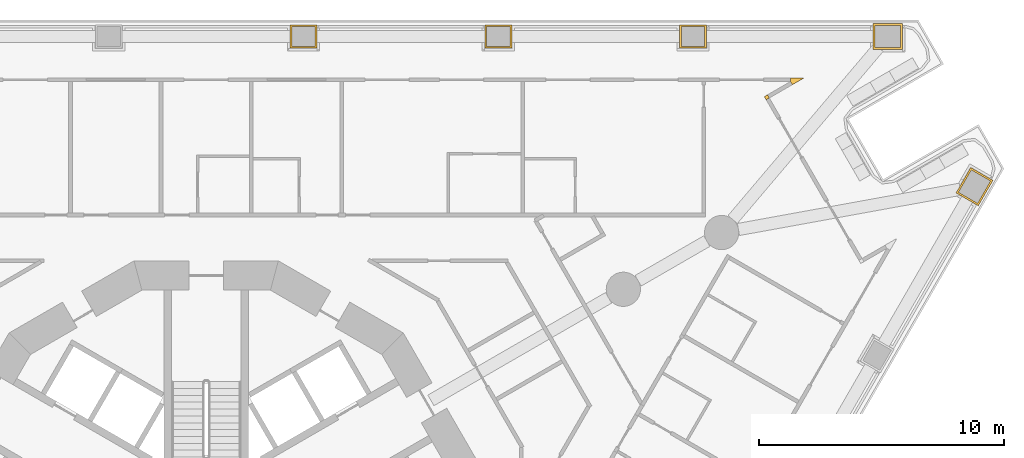
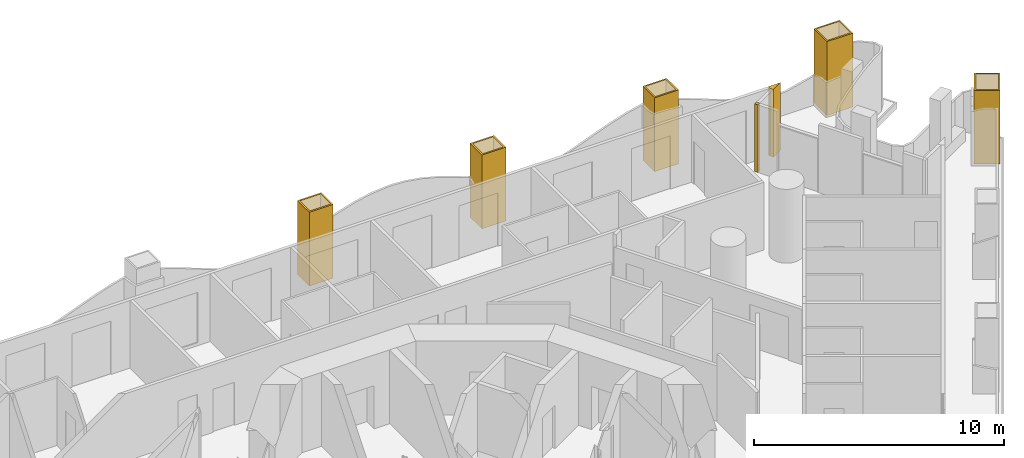
# One storey, part 18 of 19: 7 coverings.
"""IFC4 building model written with IfcOpenShell, lengths in metres."""

import ifcopenshell
import ifcopenshell.guid

model = None  # the IFC model being written
_history = None  # IfcOwnerHistory: only IFC2X3 demands one
_inside = {}  # id of a spatial element -> (the spatial element, [elements in it])
_under = {}  # id of a project, library or spatial element -> (it, [spatial elements below it])
_declared = {}  # id of a project -> (the project, [libraries it declares])
_typed = {}  # id of a type object -> (the type object, [elements of that type])
_made_of = {}  # id of a material, layer set ... -> (it, [elements and type objects made of it])


def new_model(schema):
    """Start an empty IFC model of exactly this schema.

    Asked for "IFC4X3", IfcOpenShell would pick the latest addendum, in which some entities
    have other attributes; the version numbers below select the first issue.
    IFC2X3 requires an IfcOwnerHistory on every rooted entity: one is made here for all.
    """
    global model, _history
    if schema == "IFC4X3":
        model = ifcopenshell.file(schema_version=(4, 3, 0, 0))
    else:
        model = ifcopenshell.file(schema=schema)
    _inside.clear()
    _under.clear()
    _declared.clear()
    _typed.clear()
    _made_of.clear()
    _history = None
    if model.schema == "IFC2X3":
        org = make("IfcOrganization", Name="unknown")
        user = make(
            "IfcPersonAndOrganization",
            ThePerson=make("IfcPerson", FamilyName="unknown"),
            TheOrganization=org,
        )
        app = make(
            "IfcApplication",
            ApplicationDeveloper=org,
            Version="unknown",
            ApplicationFullName="unknown",
            ApplicationIdentifier="unknown",
        )
        _history = make(
            "IfcOwnerHistory",
            OwningUser=user,
            OwningApplication=app,
            ChangeAction="ADDED",
            CreationDate=0,
        )
    return model


def make(cls, **values):
    """One entity of the class cls with the attributes given. An attribute that is None is left unset."""
    return model.create_entity(
        cls, **{name: value for name, value in values.items() if value is not None}
    )


def rooted(cls, **values):
    """An entity with a GlobalId (a new one), such as an element, a storey or a relation."""
    return make(cls, GlobalId=ifcopenshell.guid.new(), OwnerHistory=_history, **values)


def si_unit(unit_type, name, prefix=None):
    """IfcSIUnit, for example si_unit("LENGTHUNIT", "METRE", prefix="MILLI")."""
    return make("IfcSIUnit", UnitType=unit_type, Prefix=prefix, Name=name)


def assignment(units):
    """IfcUnitAssignment: the units of a project."""
    return None if units is None else make("IfcUnitAssignment", Units=units)


def point(xyz):
    """IfcCartesianPoint."""
    return None if xyz is None else make("IfcCartesianPoint", Coordinates=xyz)


def direction(xyz):
    """IfcDirection."""
    return None if xyz is None else make("IfcDirection", DirectionRatios=xyz)


def frame(location, z_axis=None, x_axis=None):
    """IfcAxis2Placement3D, a coordinate frame: its origin and axes. An axis left out is left unset."""
    return make(
        "IfcAxis2Placement3D",
        Location=point(location),
        Axis=direction(z_axis),
        RefDirection=direction(x_axis),
    )


def origin():
    """The frame at (0, 0, 0) with its axes left unset."""
    return frame((0.0, 0.0, 0.0))


def place(relative_to, where):
    """IfcLocalPlacement: puts the frame where relative to a parent placement (None: the world)."""
    return make(
        "IfcLocalPlacement", PlacementRelTo=relative_to, RelativePlacement=where
    )


def context(
    kind, dimensions, precision=None, world=None, true_north=None, identifier=None
):
    """IfcGeometricRepresentationContext, for example the 3D "Model" context."""
    return make(
        "IfcGeometricRepresentationContext",
        ContextIdentifier=identifier,
        ContextType=kind,
        CoordinateSpaceDimension=dimensions,
        Precision=precision,
        WorldCoordinateSystem=world,
        TrueNorth=true_north,
    )


def subcontext(parent, identifier, kind, view, scale=None):
    """IfcGeometricRepresentationSubContext, for example "Body" below "Model"."""
    return make(
        "IfcGeometricRepresentationSubContext",
        ContextIdentifier=identifier,
        ContextType=kind,
        ParentContext=parent,
        TargetScale=scale,
        TargetView=view,
    )


def project(units=None, contexts=None):
    """IfcProject with its units and contexts."""
    return rooted(
        "IfcProject",
        Name="project",
        RepresentationContexts=contexts,
        UnitsInContext=assignment(units),
    )


def spatial(cls, under=None, at=None, **own):
    """A site, building, storey or space (cls), placed at a placement, below another one or the project."""
    s = rooted(cls, ObjectPlacement=at, **own)
    if under is not None:
        _under.setdefault(under.id(), (under, []))[1].append(s)
    return s


def polyline(points):
    """IfcPolyline through the points."""
    return make("IfcPolyline", Points=[point(p) for p in points])


def outline(outer, holes=None, kind="AREA"):
    """IfcArbitraryClosedProfileDef: a profile drawn as a closed curve; with holes, ...WithVoids."""
    if holes is None:
        return make("IfcArbitraryClosedProfileDef", ProfileType=kind, OuterCurve=outer)
    return make(
        "IfcArbitraryProfileDefWithVoids",
        ProfileType=kind,
        OuterCurve=outer,
        InnerCurves=holes,
    )


def extrude(swept, where, along, depth):
    """IfcExtrudedAreaSolid: the profile swept, set in the frame where, extruded along a direction by depth."""
    return make(
        "IfcExtrudedAreaSolid",
        SweptArea=swept,
        Position=where,
        ExtrudedDirection=direction(along),
        Depth=depth,
    )


def shape(context_of_items, identifier, shape_type, items):
    """IfcShapeRepresentation: the items that make up one representation, for example the "Body"."""
    return make(
        "IfcShapeRepresentation",
        ContextOfItems=context_of_items,
        RepresentationIdentifier=identifier,
        RepresentationType=shape_type,
        Items=items,
    )


def material(Name=None, Category=None):
    """IfcMaterial."""
    return make("IfcMaterial", Name=Name, Category=Category)


def layer(
    of_material, thickness, ventilated=None, Name=None, Category=None, Priority=None
):
    """IfcMaterialLayer: one layer of a wall or slab, of a material (None: an air gap)."""
    return make(
        "IfcMaterialLayer",
        Material=of_material,
        LayerThickness=thickness,
        IsVentilated=ventilated,
        Name=Name,
        Category=Category,
        Priority=Priority,
    )


def layer_set(layers, Name=None):
    """IfcMaterialLayerSet."""
    return make("IfcMaterialLayerSet", MaterialLayers=layers, LayerSetName=Name)


def made_of(thing, what):
    """Note that an element or type object is made of a material, layer set ...; save() writes the relation."""
    if what is not None:
        _made_of.setdefault(what.id(), (what, []))[1].append(thing)
    return thing


def type_object(cls, material=None, **own):
    """A type object (cls), such as IfcWallType, which elements share."""
    return made_of(rooted(cls, **own), material)


def element(
    cls,
    number,
    at=None,
    inside=None,
    cuts=None,
    type_object=None,
    material=None,
    context=None,
    identifier="Body",
    shape_type=None,
    held_by="IfcProductDefinitionShape",
    body=None,
    shapes=None,
    **own,
):
    """One element of the class cls, such as IfcWall. Its Tag is "e" and its number.

    at: its placement. inside: the storey or other place that contains it. cuts: it is an
    opening in that element (IfcRelVoidsElement). A single representation is given by context,
    identifier, shape_type and body (its items); several are given by shapes. held_by: the class
    of the entity that holds the representations. save() writes the other relations.
    """
    e = rooted(cls, Tag="e%d" % number, ObjectPlacement=at, **own)
    if body is not None:
        shapes = [shape(context, identifier, shape_type, body)]
    if shapes is not None:
        e.Representation = make(held_by, Representations=shapes)
    if inside is not None:
        _inside.setdefault(inside.id(), (inside, []))[1].append(e)
    if cuts is not None:
        rooted(
            "IfcRelVoidsElement", RelatingBuildingElement=cuts, RelatedOpeningElement=e
        )
    if type_object is not None:
        _typed.setdefault(type_object.id(), (type_object, []))[1].append(e)
    return made_of(e, material)


def aggregate(whole, parts):
    """IfcRelAggregates: a whole, such as a stair, and the parts it consists of."""
    return rooted("IfcRelAggregates", RelatingObject=whole, RelatedObjects=parts)


def save(model, path):
    """Write the relations noted so far, then the file.

    IfcRelAggregates (storeys below a building ...), IfcRelContainedInSpatialStructure (elements
    in a storey), IfcRelDefinesByType, IfcRelAssociatesMaterial and IfcRelDeclares: one each for
    every whole, place, type object, material and project.
    """
    for whole, parts in _under.values():
        aggregate(whole, parts)
    for where, things in _inside.values():
        rooted(
            "IfcRelContainedInSpatialStructure",
            RelatedElements=things,
            RelatingStructure=where,
        )
    for kind, things in _typed.values():
        rooted("IfcRelDefinesByType", RelatedObjects=things, RelatingType=kind)
    for what, things in _made_of.values():
        rooted("IfcRelAssociatesMaterial", RelatedObjects=things, RelatingMaterial=what)
    for by, libraries in _declared.values():
        rooted("IfcRelDeclares", RelatingContext=by, RelatedDefinitions=libraries)
    model.write(path)


model = new_model("IFC4")

# Units and contexts
model_context = context("Model", 3, precision=1e-05, world=origin(), true_north=direction((0.0, 1.0)))
body_context = subcontext(model_context, "Body", "Model", "MODEL_VIEW")
ifc_project = project(units=[si_unit("LENGTHUNIT", "METRE"), si_unit("AREAUNIT", "SQUARE_METRE"), si_unit("VOLUMEUNIT", "CUBIC_METRE"), si_unit("PLANEANGLEUNIT", "RADIAN"), si_unit("MASSUNIT", "GRAM", prefix="KILO")], contexts=[model_context])

# Site, building, storey
site_placement = place(None, origin())
site = spatial("IfcSite", under=ifc_project, at=site_placement, CompositionType="ELEMENT")
building_placement = place(site_placement, origin())
building = spatial("IfcBuilding", under=site, at=building_placement, Name="Trine Commons Tower", CompositionType="ELEMENT")
storey_placement = place(building_placement, frame((0.0, 0.0, 31.5)))
storey = spatial("IfcBuildingStorey", under=building, at=storey_placement, Name="L06", CompositionType="ELEMENT", Elevation=31.5)

# Coverings
ifc_material_1 = material(Name="Aluminium-framed insulated wall panel", Category="aluminium")
ifc_layer_1 = layer(ifc_material_1, 0.14990234375)
ifc_layer_set_1 = layer_set([ifc_layer_1], Name="Aluminium-framed insulated wall panel")
covering_type_1 = type_object("IfcCoveringType", Name="Glazing corner post, aluminium", PredefinedType="CLADDING", material=ifc_layer_set_1)
covering_1_placement = place(storey_placement, origin())
element("IfcCovering", 1, at=covering_1_placement, inside=storey, type_object=covering_type_1, Name="Glazing corner post 1-05", PredefinedType="CLADDING", context=body_context, shape_type="SweptSolid", body=[
    extrude(outline(polyline([(103.96875, 80.714599609375), (104.45361328125, 80.99462890625), (103.893798828125, 80.99462890625), (103.893798828125, 80.844482421875), (103.96875, 80.714599609375)])), origin(), (0.0, 0.0, 1.0), 3.300048828125),
])
covering_2_placement = place(storey_placement, origin())
element("IfcCovering", 2, at=covering_2_placement, inside=storey, type_object=covering_type_1, Name="Glazing corner post 1-06", PredefinedType="CLADDING", context=body_context, shape_type="SweptSolid", body=[
    extrude(outline(polyline([(102.898681640625, 80.0966796875), (103.028564453125, 80.171875), (102.95361328125, 80.3017578125), (102.823486328125, 80.226806640625), (102.898681640625, 80.0966796875)])), origin(), (0.0, 0.0, 1.0), 3.300048828125),
])
ifc_material_2 = material(Name="Limestone, honed", Category="masonry")
ifc_layer_2 = layer(ifc_material_2, 0.074951171875)
ifc_layer_set_2 = layer_set([ifc_layer_2], Name="Limestone, honed")
covering_type_2 = type_object("IfcCoveringType", Name="Limestone column cladding 75", PredefinedType="CLADDING", material=ifc_layer_set_2)
covering_3_placement = place(storey_placement, origin())
element("IfcCovering", 3, at=covering_3_placement, inside=storey, type_object=covering_type_2, Name="Limestone pier cladding 1-13", PredefinedType="CLADDING", context=body_context, shape_type="SweptSolid", body=[
    extrude(outline(polyline([(84.53173828125, 82.209716796875), (84.53173828125, 83.15966796875), (83.431640625, 83.15966796875), (83.431640625, 82.209716796875), (84.53173828125, 82.209716796875)]), holes=[polyline([(84.456787109375, 82.28466796875), (84.456787109375, 83.084716796875), (83.506591796875, 83.084716796875), (83.506591796875, 82.28466796875), (84.456787109375, 82.28466796875)])]), origin(), (0.0, 0.0, 1.0), 3.60009765625),
])
covering_4_placement = place(storey_placement, origin())
element("IfcCovering", 4, at=covering_4_placement, inside=storey, type_object=covering_type_2, Name="Limestone pier cladding 1-14", PredefinedType="CLADDING", context=body_context, shape_type="SweptSolid", body=[
    extrude(outline(polyline([(92.4951171875, 82.209716796875), (92.4951171875, 83.15966796875), (91.39501953125, 83.15966796875), (91.39501953125, 82.209716796875), (92.4951171875, 82.209716796875)]), holes=[polyline([(92.420166015625, 82.28466796875), (92.420166015625, 83.084716796875), (91.47021484375, 83.084716796875), (91.47021484375, 82.28466796875), (92.420166015625, 82.28466796875)])]), origin(), (0.0, 0.0, 1.0), 3.60009765625),
])
covering_5_placement = place(storey_placement, origin())
element("IfcCovering", 5, at=covering_5_placement, inside=storey, type_object=covering_type_2, Name="Limestone pier cladding 1-15", PredefinedType="CLADDING", context=body_context, shape_type="SweptSolid", body=[
    extrude(outline(polyline([(100.45849609375, 82.209716796875), (100.45849609375, 83.15966796875), (99.3583984375, 83.15966796875), (99.3583984375, 82.209716796875), (100.45849609375, 82.209716796875)]), holes=[polyline([(100.38330078125, 82.28466796875), (100.38330078125, 83.084716796875), (99.433349609375, 83.084716796875), (99.433349609375, 82.28466796875), (100.38330078125, 82.28466796875)])]), origin(), (0.0, 0.0, 1.0), 3.60009765625),
])
covering_6_placement = place(storey_placement, origin())
element("IfcCovering", 6, at=covering_6_placement, inside=storey, type_object=covering_type_2, Name="Limestone pier cladding 1-16", PredefinedType="CLADDING", context=body_context, shape_type="SweptSolid", body=[
    extrude(outline(polyline([(108.4716796875, 82.15966796875), (108.4716796875, 83.209716796875), (107.271728515625, 83.209716796875), (107.271728515625, 82.15966796875), (108.4716796875, 82.15966796875)]), holes=[polyline([(108.396728515625, 82.234619140625), (108.396728515625, 83.134521484375), (107.3466796875, 83.134521484375), (107.3466796875, 82.234619140625), (108.396728515625, 82.234619140625)])]), origin(), (0.0, 0.0, 1.0), 3.60009765625),
])
covering_7_placement = place(storey_placement, origin())
element("IfcCovering", 7, at=covering_7_placement, inside=storey, type_object=covering_type_2, Name="Limestone pier cladding 1-17", PredefinedType="CLADDING", context=body_context, shape_type="SweptSolid", body=[
    extrude(outline(polyline([(112.1708984375, 76.802490234375), (111.26171875, 77.327392578125), (110.66162109375, 76.288330078125), (111.571044921875, 75.76318359375), (112.1708984375, 76.802490234375)]), holes=[polyline([(112.068603515625, 76.775146484375), (111.2890625, 77.22509765625), (110.76416015625, 76.315673828125), (111.54345703125, 75.86572265625), (112.068603515625, 76.775146484375)])]), origin(), (0.0, 0.0, 1.0), 3.60009765625),
])

save(model, "model.ifc")
